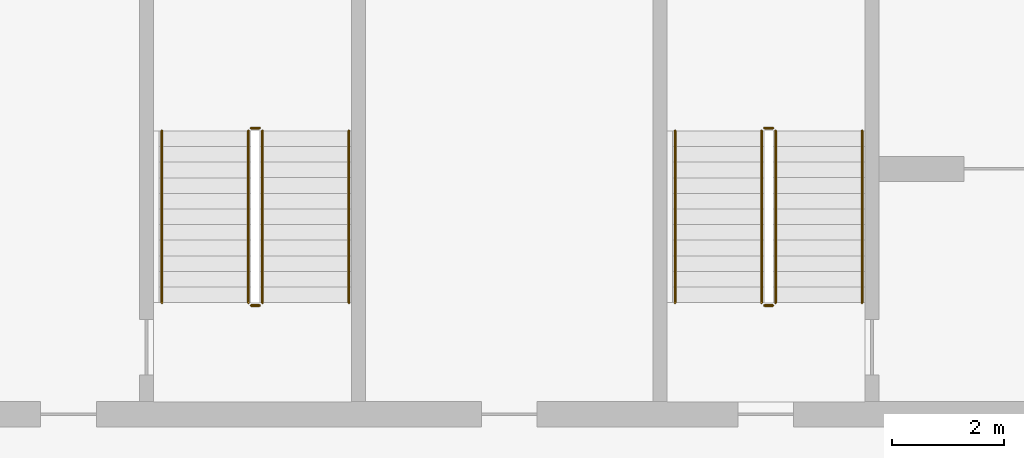
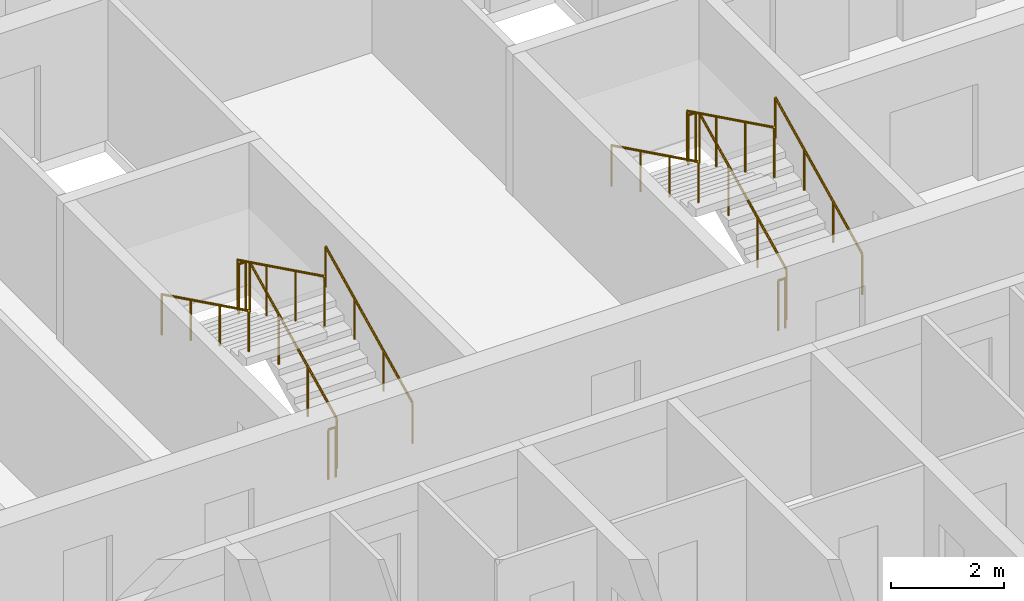
# One storey, part 14 of 31: 12 railings.
"""IFC4 building model written with IfcOpenShell, lengths in metres."""

from ifc_helpers import new_model, si_unit, direction, frame, origin, origin_2d, place, context, subcontext, project, spatial, circle, extrude, material, type_object, element, save


model = new_model("IFC4")

# Units and contexts
model_context = context("Model", 3, precision=1e-05, world=origin(), true_north=direction((0.0, 1.0)))
body_context = subcontext(model_context, "Body", "Model", "MODEL_VIEW")
ifc_project = project(units=[si_unit("LENGTHUNIT", "METRE"), si_unit("AREAUNIT", "SQUARE_METRE"), si_unit("VOLUMEUNIT", "CUBIC_METRE"), si_unit("PLANEANGLEUNIT", "RADIAN"), si_unit("MASSUNIT", "GRAM", prefix="KILO")], contexts=[model_context])

# Site, building, storey
site_placement = place(None, origin())
site = spatial("IfcSite", under=ifc_project, at=site_placement, CompositionType="ELEMENT")
building_placement = place(site_placement, origin())
building = spatial("IfcBuilding", under=site, at=building_placement, Name="Poui Terraces", CompositionType="ELEMENT")
storey_placement = place(building_placement, frame((0.0, 0.0, 148.800048828125)))
storey = spatial("IfcBuildingStorey", under=building, at=storey_placement, Name="L41", CompositionType="ELEMENT", Elevation=148.800048828125)

# Railings
ifc_material_1 = material(Name="Galvanised steel balustrade", Category="steel")
railing_type_1 = type_object("IfcRailingType", Name="STAIR GUARD 1100", PredefinedType="GUARDRAIL", material=ifc_material_1)
railing_1_placement = place(storey_placement, frame((32.074951171875, 16.60009765625, 0.137451171875)))
element("IfcRailing", 1, at=railing_1_placement, inside=storey, type_object=railing_type_1, Name="L41 ST-CW stair guard 1", PredefinedType="GUARDRAIL", context=body_context, shape_type="SweptSolid", body=[
    extrude(circle(Radius=0.02392578125, at=origin_2d()), frame((0.0, 0.0, 1.076171875), z_axis=(0.0, 0.897606190399, 0.440798283751), x_axis=(-1.0, 0.0, 0.0)), (0.0, 0.0, 1.0), 3.43115234375),
    extrude(circle(Radius=0.02099609375, at=origin_2d()), origin(), (0.0, 0.0, 1.0), 1.052001953125),
    extrude(circle(Radius=0.02099609375, at=origin_2d()), frame((0.0, 1.026611328125, 0.504150390625)), (0.0, 0.0, 1.0), 1.052001953125),
    extrude(circle(Radius=0.02099609375, at=origin_2d()), frame((0.0, 2.05322265625, 1.00830078125)), (0.0, 0.0, 1.0), 1.052001953125),
    extrude(circle(Radius=0.02099609375, at=origin_2d()), frame((0.0, 3.079833984375, 1.512451171875)), (0.0, 0.0, 1.0), 1.052001953125),
])
railing_2_placement = place(storey_placement, frame((32.02490234375, 19.72998046875, 1.64990234375)))
element("IfcRailing", 2, at=railing_2_placement, inside=storey, type_object=railing_type_1, Name="L41 ST-CW stair guard 2", PredefinedType="GUARDRAIL", context=body_context, shape_type="SweptSolid", body=[
    extrude(circle(Radius=0.02392578125, at=origin_2d()), frame((0.0, 0.0, 1.076171875), z_axis=(-1.0, 0.0, 0.0), x_axis=(0.0, -1.0, 0.0)), (0.0, 0.0, 1.0), 0.14990234375),
    extrude(circle(Radius=0.02099609375, at=origin_2d()), origin(), (0.0, 0.0, 1.0), 1.052001953125),
    extrude(circle(Radius=0.02099609375, at=origin_2d()), frame((-0.14990234375, 0.0, 0.0)), (0.0, 0.0, 1.0), 1.052001953125),
])
railing_3_placement = place(storey_placement, frame((31.824951171875, 19.679931640625, 1.787353515625)))
element("IfcRailing", 3, at=railing_3_placement, inside=storey, type_object=railing_type_1, Name="L41 ST-CW stair guard 3", PredefinedType="GUARDRAIL", context=body_context, shape_type="SweptSolid", body=[
    extrude(circle(Radius=0.02392578125, at=origin_2d()), frame((0.0, 0.0, 1.076171875), z_axis=(0.0, -0.897578036475, 0.440855609512), x_axis=(1.0, 0.0, 0.0)), (0.0, 0.0, 1.0), 3.43115234375),
    extrude(circle(Radius=0.02099609375, at=origin_2d()), origin(), (0.0, 0.0, 1.0), 1.052001953125),
    extrude(circle(Radius=0.02099609375, at=origin_2d()), frame((0.0, -1.026611328125, 0.504150390625)), (0.0, 0.0, 1.0), 1.052001953125),
    extrude(circle(Radius=0.02099609375, at=origin_2d()), frame((0.0, -2.05322265625, 1.008544921875)), (0.0, 0.0, 1.0), 1.052001953125),
    extrude(circle(Radius=0.02099609375, at=origin_2d()), frame((0.0, -3.079833984375, 1.5126953125)), (0.0, 0.0, 1.0), 1.052001953125),
])
railing_4_placement = place(storey_placement, frame((32.02490234375, 16.550048828125, 0.0)))
element("IfcRailing", 4, at=railing_4_placement, inside=storey, type_object=railing_type_1, Name="L41 ST-CW stair guard 4", PredefinedType="GUARDRAIL", context=body_context, shape_type="SweptSolid", body=[
    extrude(circle(Radius=0.02392578125, at=origin_2d()), frame((0.0, 0.0, 1.076171875), z_axis=(-1.0, 0.0, 0.0), x_axis=(0.0, -1.0, 0.0)), (0.0, 0.0, 1.0), 0.14990234375),
    extrude(circle(Radius=0.02099609375, at=origin_2d()), origin(), (0.0, 0.0, 1.0), 1.052001953125),
    extrude(circle(Radius=0.02099609375, at=origin_2d()), frame((-0.14990234375, 0.0, 0.0)), (0.0, 0.0, 1.0), 1.052001953125),
])
railing_5_placement = place(storey_placement, frame((22.875, 16.60009765625, 0.137451171875)))
element("IfcRailing", 5, at=railing_5_placement, inside=storey, type_object=railing_type_1, Name="L41 ST-W stair guard 1", PredefinedType="GUARDRAIL", context=body_context, shape_type="SweptSolid", body=[
    extrude(circle(Radius=0.02392578125, at=origin_2d()), frame((0.0, 0.0, 1.076171875), z_axis=(0.0, 0.897606190399, 0.440798283751), x_axis=(-1.0, 0.0, 0.0)), (0.0, 0.0, 1.0), 3.43115234375),
    extrude(circle(Radius=0.02099609375, at=origin_2d()), origin(), (0.0, 0.0, 1.0), 1.052001953125),
    extrude(circle(Radius=0.02099609375, at=origin_2d()), frame((0.0, 1.026611328125, 0.504150390625)), (0.0, 0.0, 1.0), 1.052001953125),
    extrude(circle(Radius=0.02099609375, at=origin_2d()), frame((0.0, 2.05322265625, 1.00830078125)), (0.0, 0.0, 1.0), 1.052001953125),
    extrude(circle(Radius=0.02099609375, at=origin_2d()), frame((0.0, 3.079833984375, 1.512451171875)), (0.0, 0.0, 1.0), 1.052001953125),
])
railing_6_placement = place(storey_placement, frame((22.824951171875, 19.72998046875, 1.64990234375)))
element("IfcRailing", 6, at=railing_6_placement, inside=storey, type_object=railing_type_1, Name="L41 ST-W stair guard 2", PredefinedType="GUARDRAIL", context=body_context, shape_type="SweptSolid", body=[
    extrude(circle(Radius=0.02392578125, at=origin_2d()), frame((0.0, 0.0, 1.076171875), z_axis=(-1.0, 0.0, 0.0), x_axis=(0.0, -1.0, 0.0)), (0.0, 0.0, 1.0), 0.14990234375),
    extrude(circle(Radius=0.02099609375, at=origin_2d()), origin(), (0.0, 0.0, 1.0), 1.052001953125),
    extrude(circle(Radius=0.02099609375, at=origin_2d()), frame((-0.14990234375, 0.0, 0.0)), (0.0, 0.0, 1.0), 1.052001953125),
])
railing_7_placement = place(storey_placement, frame((22.625, 19.679931640625, 1.787353515625)))
element("IfcRailing", 7, at=railing_7_placement, inside=storey, type_object=railing_type_1, Name="L41 ST-W stair guard 3", PredefinedType="GUARDRAIL", context=body_context, shape_type="SweptSolid", body=[
    extrude(circle(Radius=0.02392578125, at=origin_2d()), frame((0.0, 0.0, 1.076171875), z_axis=(0.0, -0.897578036475, 0.440855609512), x_axis=(1.0, 0.0, 0.0)), (0.0, 0.0, 1.0), 3.43115234375),
    extrude(circle(Radius=0.02099609375, at=origin_2d()), origin(), (0.0, 0.0, 1.0), 1.052001953125),
    extrude(circle(Radius=0.02099609375, at=origin_2d()), frame((0.0, -1.026611328125, 0.504150390625)), (0.0, 0.0, 1.0), 1.052001953125),
    extrude(circle(Radius=0.02099609375, at=origin_2d()), frame((0.0, -2.05322265625, 1.008544921875)), (0.0, 0.0, 1.0), 1.052001953125),
    extrude(circle(Radius=0.02099609375, at=origin_2d()), frame((0.0, -3.079833984375, 1.5126953125)), (0.0, 0.0, 1.0), 1.052001953125),
])
railing_8_placement = place(storey_placement, frame((22.824951171875, 16.550048828125, 0.0)))
element("IfcRailing", 8, at=railing_8_placement, inside=storey, type_object=railing_type_1, Name="L41 ST-W stair guard 4", PredefinedType="GUARDRAIL", context=body_context, shape_type="SweptSolid", body=[
    extrude(circle(Radius=0.02392578125, at=origin_2d()), frame((0.0, 0.0, 1.076171875), z_axis=(-1.0, 0.0, 0.0), x_axis=(0.0, -1.0, 0.0)), (0.0, 0.0, 1.0), 0.14990234375),
    extrude(circle(Radius=0.02099609375, at=origin_2d()), origin(), (0.0, 0.0, 1.0), 1.052001953125),
    extrude(circle(Radius=0.02099609375, at=origin_2d()), frame((-0.14990234375, 0.0, 0.0)), (0.0, 0.0, 1.0), 1.052001953125),
])
ifc_material_2 = material(Name="Stainless steel handrail", Category="steel")
railing_type_2 = type_object("IfcRailingType", Name="STAIR HANDRAIL 900", PredefinedType="HANDRAIL", material=ifc_material_2)
railing_9_placement = place(storey_placement, frame((33.625, 16.60009765625, 0.137451171875)))
element("IfcRailing", 9, at=railing_9_placement, inside=storey, type_object=railing_type_2, Name="L41 ST-CW stair handrail 1", PredefinedType="HANDRAIL", context=body_context, shape_type="SweptSolid", body=[
    extrude(circle(Radius=0.02392578125, at=origin_2d()), frame((0.0, 0.0, 0.8759765625), z_axis=(0.0, 0.897606190399, 0.440798283751), x_axis=(-1.0, 0.0, 0.0)), (0.0, 0.0, 1.0), 3.43115234375),
    extrude(circle(Radius=0.02099609375, at=origin_2d()), origin(), (0.0, 0.0, 1.0), 0.851806640625),
    extrude(circle(Radius=0.02099609375, at=origin_2d()), frame((0.0, 1.026611328125, 0.504150390625)), (0.0, 0.0, 1.0), 0.851806640625),
    extrude(circle(Radius=0.02099609375, at=origin_2d()), frame((0.0, 2.05322265625, 1.00830078125)), (0.0, 0.0, 1.0), 0.851806640625),
    extrude(circle(Radius=0.02099609375, at=origin_2d()), frame((0.0, 3.079833984375, 1.512451171875)), (0.0, 0.0, 1.0), 0.851806640625),
])
railing_10_placement = place(storey_placement, frame((30.27490234375, 19.679931640625, 1.787353515625)))
element("IfcRailing", 10, at=railing_10_placement, inside=storey, type_object=railing_type_2, Name="L41 ST-CW stair handrail 2", PredefinedType="HANDRAIL", context=body_context, shape_type="SweptSolid", body=[
    extrude(circle(Radius=0.02392578125, at=origin_2d()), frame((0.0, 0.0, 0.8759765625), z_axis=(0.0, -0.897578036475, 0.440855609512), x_axis=(1.0, 0.0, 0.0)), (0.0, 0.0, 1.0), 3.43115234375),
    extrude(circle(Radius=0.02099609375, at=origin_2d()), origin(), (0.0, 0.0, 1.0), 0.851806640625),
    extrude(circle(Radius=0.02099609375, at=origin_2d()), frame((0.0, -1.026611328125, 0.504150390625)), (0.0, 0.0, 1.0), 0.851806640625),
    extrude(circle(Radius=0.02099609375, at=origin_2d()), frame((0.0, -2.05322265625, 1.008544921875)), (0.0, 0.0, 1.0), 0.851806640625),
    extrude(circle(Radius=0.02099609375, at=origin_2d()), frame((0.0, -3.079833984375, 1.5126953125)), (0.0, 0.0, 1.0), 0.851806640625),
])
railing_11_placement = place(storey_placement, frame((24.425048828125, 16.60009765625, 0.137451171875)))
element("IfcRailing", 11, at=railing_11_placement, inside=storey, type_object=railing_type_2, Name="L41 ST-W stair handrail 1", PredefinedType="HANDRAIL", context=body_context, shape_type="SweptSolid", body=[
    extrude(circle(Radius=0.02392578125, at=origin_2d()), frame((0.0, 0.0, 0.8759765625), z_axis=(0.0, 0.897606190399, 0.440798283751), x_axis=(-1.0, 0.0, 0.0)), (0.0, 0.0, 1.0), 3.43115234375),
    extrude(circle(Radius=0.02099609375, at=origin_2d()), origin(), (0.0, 0.0, 1.0), 0.851806640625),
    extrude(circle(Radius=0.02099609375, at=origin_2d()), frame((0.0, 1.026611328125, 0.504150390625)), (0.0, 0.0, 1.0), 0.851806640625),
    extrude(circle(Radius=0.02099609375, at=origin_2d()), frame((0.0, 2.05322265625, 1.00830078125)), (0.0, 0.0, 1.0), 0.851806640625),
    extrude(circle(Radius=0.02099609375, at=origin_2d()), frame((0.0, 3.079833984375, 1.512451171875)), (0.0, 0.0, 1.0), 0.851806640625),
])
railing_12_placement = place(storey_placement, frame((21.074951171875, 19.679931640625, 1.787353515625)))
element("IfcRailing", 12, at=railing_12_placement, inside=storey, type_object=railing_type_2, Name="L41 ST-W stair handrail 2", PredefinedType="HANDRAIL", context=body_context, shape_type="SweptSolid", body=[
    extrude(circle(Radius=0.02392578125, at=origin_2d()), frame((0.0, 0.0, 0.8759765625), z_axis=(0.0, -0.897578036475, 0.440855609512), x_axis=(1.0, 0.0, 0.0)), (0.0, 0.0, 1.0), 3.43115234375),
    extrude(circle(Radius=0.02099609375, at=origin_2d()), origin(), (0.0, 0.0, 1.0), 0.851806640625),
    extrude(circle(Radius=0.02099609375, at=origin_2d()), frame((0.0, -1.026611328125, 0.504150390625)), (0.0, 0.0, 1.0), 0.851806640625),
    extrude(circle(Radius=0.02099609375, at=origin_2d()), frame((0.0, -2.05322265625, 1.008544921875)), (0.0, 0.0, 1.0), 0.851806640625),
    extrude(circle(Radius=0.02099609375, at=origin_2d()), frame((0.0, -3.079833984375, 1.5126953125)), (0.0, 0.0, 1.0), 0.851806640625),
])

save(model, "model.ifc")
